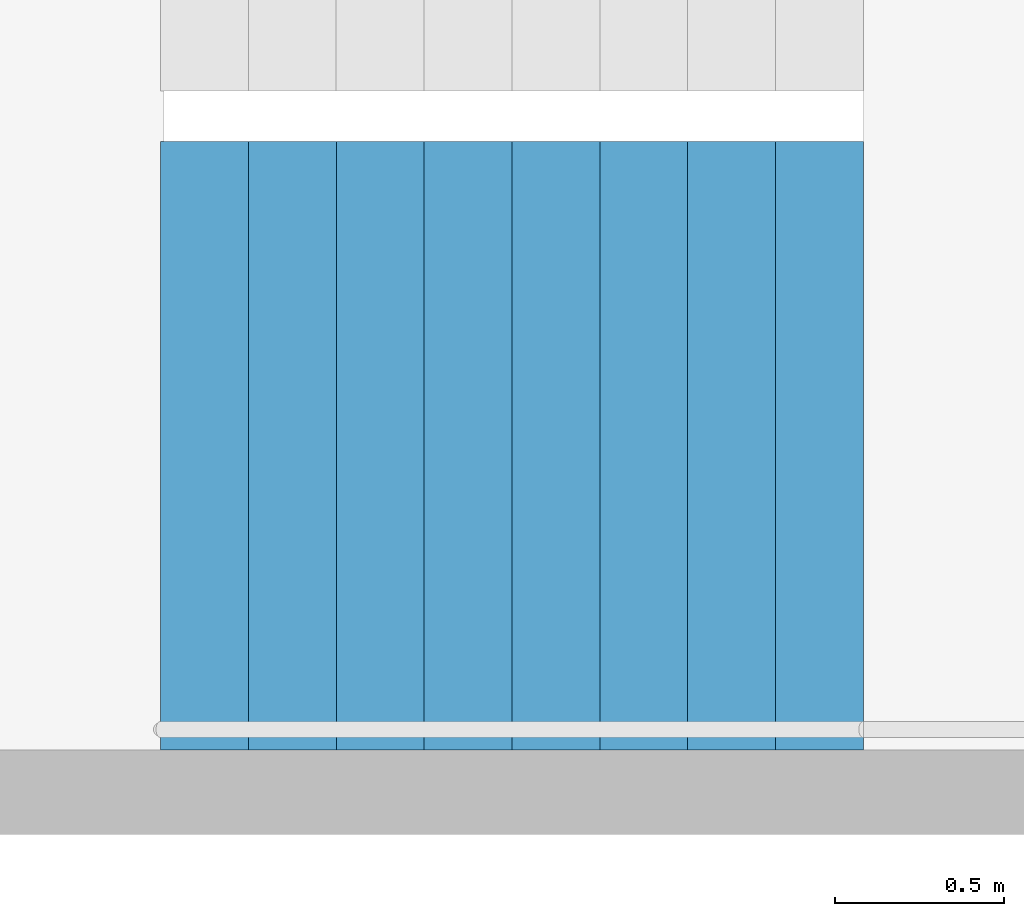
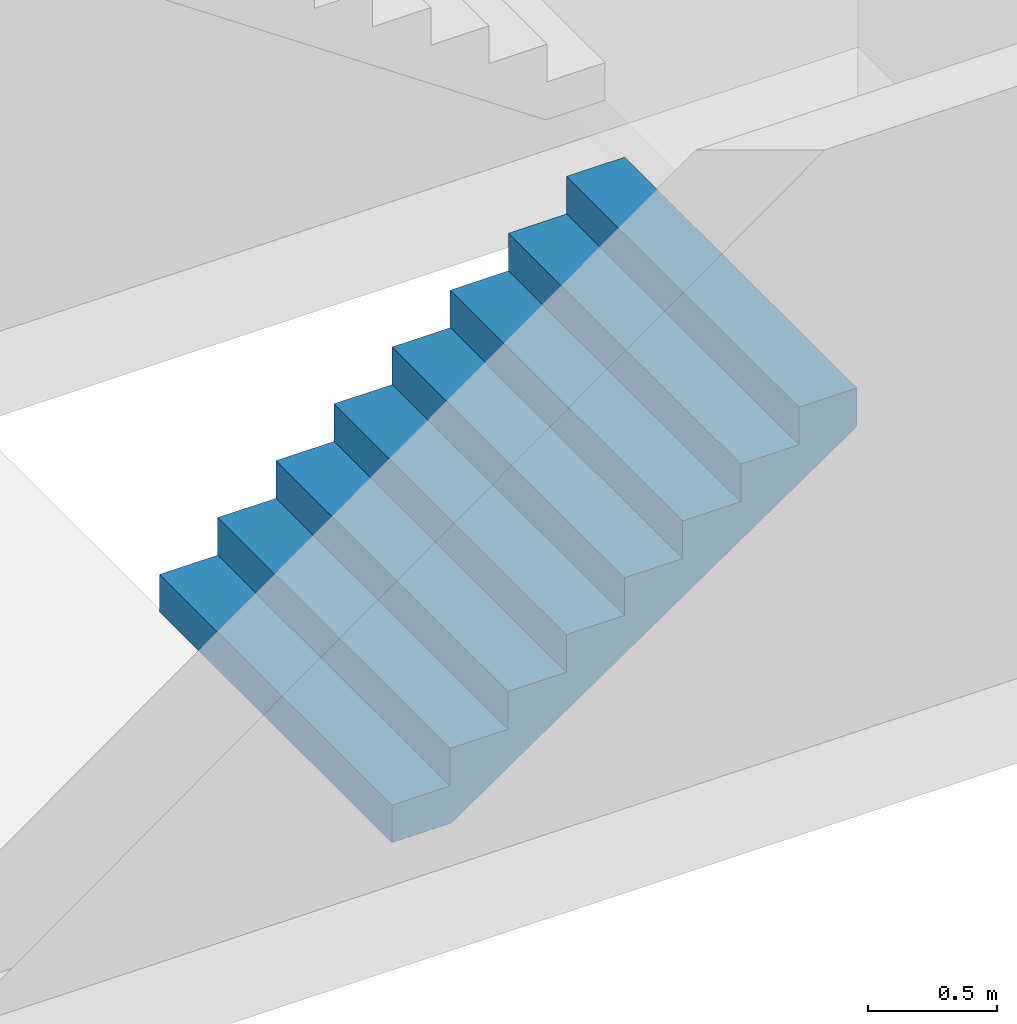
# One storey, part 23 of 29: 1 stair flight, 1 element without a shape of its own.
"""IFC4 building model written with IfcOpenShell, lengths in metres."""

from ifc_helpers import new_model, si_unit, direction, frame, origin, place, context, subcontext, project, spatial, triangles, material, type_object, element, aggregate, save


model = new_model("IFC4")

# Units and contexts
model_context = context("Model", 3, precision=1e-05, world=origin(), true_north=direction((0.0, 1.0)))
body_context = subcontext(model_context, "Body", "Model", "MODEL_VIEW")
ifc_project = project(units=[si_unit("LENGTHUNIT", "METRE"), si_unit("AREAUNIT", "SQUARE_METRE"), si_unit("VOLUMEUNIT", "CUBIC_METRE"), si_unit("PLANEANGLEUNIT", "RADIAN"), si_unit("MASSUNIT", "GRAM", prefix="KILO")], contexts=[model_context])

# Site, building, storey
site_placement = place(None, origin())
site = spatial("IfcSite", under=ifc_project, at=site_placement, CompositionType="ELEMENT")
building_placement = place(site_placement, origin())
building = spatial("IfcBuilding", under=site, at=building_placement, Name="Hakoniwa Tower and Hamabe Station Hall", CompositionType="ELEMENT")
storey_placement = place(building_placement, frame((0.0, 0.0, 101.0)))
storey = spatial("IfcBuildingStorey", under=building, at=storey_placement, Name="L28", CompositionType="ELEMENT", Elevation=101.0)

# Stair, stair flight
ifc_material_1 = material(Name="Concrete C40", Category="concrete")
stair_type = type_object("IfcStairType", Name="ESCAPE STAIR 1800", PredefinedType="HALF_TURN_STAIR", material=ifc_material_1)
stair_placement = place(storey_placement, origin())
stair = element("IfcStair", 1, at=stair_placement, inside=storey, type_object=stair_type, Name="Escape stair ST-1 L28", PredefinedType="HALF_TURN_STAIR")
ifc_material_2 = material(Name="Concrete C40", Category="concrete")
stair_flight_type = type_object("IfcStairFlightType", Name="STAIR FLIGHT 1800", PredefinedType="STRAIGHT", material=ifc_material_2)
stair_flight_placement = place(storey_placement, frame((-24.39990234375, 4.64990234375, 0.0), z_axis=(0.0, 0.0, 1.0), x_axis=(1.0, 0.0, 0.0)))
stair_flight = element("IfcStairFlight", 2, at=stair_flight_placement, type_object=stair_flight_type, Name="ST-1 flight 1", NumberOfRisers=9, NumberOfTreads=8, PredefinedType="STRAIGHT", RiserHeight=0.177777778, TreadLength=0.26, context=body_context, shape_type="Tessellation", body=[
    triangles([(0.0, 0.89990234375, 0.0), (0.260009765625, 0.89990234375, 0.0), (0.265625, 0.89990234375, 0.0), (0.52001953125, 0.89990234375, 0.174072265625), (0.780029296875, 0.89990234375, 0.351806640625), (1.0400390625, 0.89990234375, 0.529541015625), (1.300048828125, 0.89990234375, 0.707275390625), (1.56005859375, 0.89990234375, 0.885009765625), (1.820068359375, 0.89990234375, 1.062744140625), (2.080078125, 0.89990234375, 1.24072265625), (2.080078125, 0.89990234375, 1.422119140625), (1.820068359375, 0.89990234375, 1.422119140625), (1.820068359375, 0.89990234375, 1.244384765625), (1.56005859375, 0.89990234375, 1.244384765625), (1.56005859375, 0.89990234375, 1.066650390625), (1.300048828125, 0.89990234375, 1.066650390625), (1.300048828125, 0.89990234375, 0.888916015625), (1.0400390625, 0.89990234375, 0.888916015625), (1.0400390625, 0.89990234375, 0.711181640625), (0.780029296875, 0.89990234375, 0.711181640625), (0.780029296875, 0.89990234375, 0.533447265625), (0.52001953125, 0.89990234375, 0.533447265625), (0.52001953125, 0.89990234375, 0.35546875), (0.265625, 0.89990234375, 0.35546875), (0.260009765625, 0.89990234375, 0.35546875), (0.260009765625, 0.89990234375, 0.177734375), (0.0, 0.89990234375, 0.177734375), (0.0, 0.06005859375, 0.0), (0.260009765625, 0.06005859375, 0.0), (0.265625, 0.06005859375, 0.0), (0.52001953125, 0.06005859375, 0.174072265625), (0.780029296875, 0.06005859375, 0.351806640625), (1.0400390625, 0.06005859375, 0.529541015625), (1.300048828125, 0.06005859375, 0.707275390625), (1.56005859375, 0.06005859375, 0.885009765625), (1.820068359375, 0.06005859375, 1.062744140625), (2.080078125, 0.06005859375, 1.24072265625), (2.080078125, 0.06005859375, 1.422119140625), (1.820068359375, 0.06005859375, 1.422119140625), (1.820068359375, 0.06005859375, 1.244384765625), (1.56005859375, 0.06005859375, 1.244384765625), (1.56005859375, 0.06005859375, 1.066650390625), (1.300048828125, 0.06005859375, 1.066650390625), (1.300048828125, 0.06005859375, 0.888916015625), (1.0400390625, 0.06005859375, 0.888916015625), (1.0400390625, 0.06005859375, 0.711181640625), (0.780029296875, 0.06005859375, 0.711181640625), (0.780029296875, 0.06005859375, 0.533447265625), (0.52001953125, 0.06005859375, 0.533447265625), (0.52001953125, 0.06005859375, 0.35546875), (0.265625, 0.06005859375, 0.35546875), (0.260009765625, 0.06005859375, 0.35546875), (0.260009765625, 0.06005859375, 0.177734375), (0.0, 0.06005859375, 0.177734375), (0.0, 0.04296875, 0.0), (0.260009765625, 0.04296875, 0.0), (0.265625, 0.04296875, 0.0), (0.52001953125, 0.04296875, 0.174072265625), (0.780029296875, 0.04296875, 0.351806640625), (1.0400390625, 0.04296875, 0.529541015625), (1.300048828125, 0.04296875, 0.707275390625), (1.56005859375, 0.04296875, 0.885009765625), (1.820068359375, 0.04296875, 1.062744140625), (2.080078125, 0.04296875, 1.24072265625), (2.080078125, 0.04296875, 1.422119140625), (1.820068359375, 0.04296875, 1.422119140625), (1.820068359375, 0.04296875, 1.244384765625), (1.56005859375, 0.04296875, 1.244384765625), (1.56005859375, 0.04296875, 1.066650390625), (1.300048828125, 0.04296875, 1.066650390625), (1.300048828125, 0.04296875, 0.888916015625), (1.0400390625, 0.04296875, 0.888916015625), (1.0400390625, 0.04296875, 0.711181640625), (0.780029296875, 0.04296875, 0.711181640625), (0.780029296875, 0.04296875, 0.533447265625), (0.52001953125, 0.04296875, 0.533447265625), (0.52001953125, 0.04296875, 0.35546875), (0.265625, 0.04296875, 0.35546875), (0.260009765625, 0.04296875, 0.35546875), (0.260009765625, 0.04296875, 0.177734375), (0.0, 0.04296875, 0.177734375), (0.0, 0.025634765625, 0.0), (0.260009765625, 0.025634765625, 0.0), (0.265625, 0.025634765625, 0.0), (0.52001953125, 0.025634765625, 0.174072265625), (0.780029296875, 0.025634765625, 0.351806640625), (1.0400390625, 0.025634765625, 0.529541015625), (1.300048828125, 0.025634765625, 0.707275390625), (1.56005859375, 0.025634765625, 0.885009765625), (1.820068359375, 0.025634765625, 1.062744140625), (2.080078125, 0.025634765625, 1.24072265625), (2.080078125, 0.025634765625, 1.422119140625), (1.820068359375, 0.025634765625, 1.422119140625), (1.820068359375, 0.025634765625, 1.244384765625), (1.56005859375, 0.025634765625, 1.244384765625), (1.56005859375, 0.025634765625, 1.066650390625), (1.300048828125, 0.025634765625, 1.066650390625), (1.300048828125, 0.025634765625, 0.888916015625), (1.0400390625, 0.025634765625, 0.888916015625), (1.0400390625, 0.025634765625, 0.711181640625), (0.780029296875, 0.025634765625, 0.711181640625), (0.780029296875, 0.025634765625, 0.533447265625), (0.52001953125, 0.025634765625, 0.533447265625), (0.52001953125, 0.025634765625, 0.35546875), (0.265625, 0.025634765625, 0.35546875), (0.260009765625, 0.025634765625, 0.35546875), (0.260009765625, 0.025634765625, 0.177734375), (0.0, 0.025634765625, 0.177734375), (0.0, 0.008544921875, 0.0), (0.260009765625, 0.008544921875, 0.0), (0.265625, 0.008544921875, 0.0), (0.52001953125, 0.008544921875, 0.174072265625), (0.780029296875, 0.008544921875, 0.351806640625), (1.0400390625, 0.008544921875, 0.529541015625), (1.300048828125, 0.008544921875, 0.707275390625), (1.56005859375, 0.008544921875, 0.885009765625), (1.820068359375, 0.008544921875, 1.062744140625), (2.080078125, 0.008544921875, 1.24072265625), (2.080078125, 0.008544921875, 1.422119140625), (1.820068359375, 0.008544921875, 1.422119140625), (1.820068359375, 0.008544921875, 1.244384765625), (1.56005859375, 0.008544921875, 1.244384765625), (1.56005859375, 0.008544921875, 1.066650390625), (1.300048828125, 0.008544921875, 1.066650390625), (1.300048828125, 0.008544921875, 0.888916015625), (1.0400390625, 0.008544921875, 0.888916015625), (1.0400390625, 0.008544921875, 0.711181640625), (0.780029296875, 0.008544921875, 0.711181640625), (0.780029296875, 0.008544921875, 0.533447265625), (0.52001953125, 0.008544921875, 0.533447265625), (0.52001953125, 0.008544921875, 0.35546875), (0.265625, 0.008544921875, 0.35546875), (0.260009765625, 0.008544921875, 0.35546875), (0.260009765625, 0.008544921875, 0.177734375), (0.0, 0.008544921875, 0.177734375), (0.0, -0.008544921875, 0.0), (0.260009765625, -0.008544921875, 0.0), (0.265625, -0.008544921875, 0.0), (0.52001953125, -0.008544921875, 0.174072265625), (0.780029296875, -0.008544921875, 0.351806640625), (1.0400390625, -0.008544921875, 0.529541015625), (1.300048828125, -0.008544921875, 0.707275390625), (1.56005859375, -0.008544921875, 0.885009765625), (1.820068359375, -0.008544921875, 1.062744140625), (2.080078125, -0.008544921875, 1.24072265625), (2.080078125, -0.008544921875, 1.422119140625), (1.820068359375, -0.008544921875, 1.422119140625), (1.820068359375, -0.008544921875, 1.244384765625), (1.56005859375, -0.008544921875, 1.244384765625), (1.56005859375, -0.008544921875, 1.066650390625), (1.300048828125, -0.008544921875, 1.066650390625), (1.300048828125, -0.008544921875, 0.888916015625), (1.0400390625, -0.008544921875, 0.888916015625), (1.0400390625, -0.008544921875, 0.711181640625), (0.780029296875, -0.008544921875, 0.711181640625), (0.780029296875, -0.008544921875, 0.533447265625), (0.52001953125, -0.008544921875, 0.533447265625), (0.52001953125, -0.008544921875, 0.35546875), (0.265625, -0.008544921875, 0.35546875), (0.260009765625, -0.008544921875, 0.35546875), (0.260009765625, -0.008544921875, 0.177734375), (0.0, -0.008544921875, 0.177734375), (0.0, -0.025634765625, 0.0), (0.260009765625, -0.025634765625, 0.0), (0.265625, -0.025634765625, 0.0), (0.52001953125, -0.025634765625, 0.174072265625), (0.780029296875, -0.025634765625, 0.351806640625), (1.0400390625, -0.025634765625, 0.529541015625), (1.300048828125, -0.025634765625, 0.707275390625), (1.56005859375, -0.025634765625, 0.885009765625), (1.820068359375, -0.025634765625, 1.062744140625), (2.080078125, -0.025634765625, 1.24072265625), (2.080078125, -0.025634765625, 1.422119140625), (1.820068359375, -0.025634765625, 1.422119140625), (1.820068359375, -0.025634765625, 1.244384765625), (1.56005859375, -0.025634765625, 1.244384765625), (1.56005859375, -0.025634765625, 1.066650390625), (1.300048828125, -0.025634765625, 1.066650390625), (1.300048828125, -0.025634765625, 0.888916015625), (1.0400390625, -0.025634765625, 0.888916015625), (1.0400390625, -0.025634765625, 0.711181640625), (0.780029296875, -0.025634765625, 0.711181640625), (0.780029296875, -0.025634765625, 0.533447265625), (0.52001953125, -0.025634765625, 0.533447265625), (0.52001953125, -0.025634765625, 0.35546875), (0.265625, -0.025634765625, 0.35546875), (0.260009765625, -0.025634765625, 0.35546875), (0.260009765625, -0.025634765625, 0.177734375), (0.0, -0.025634765625, 0.177734375), (0.0, -0.04296875, 0.0), (0.260009765625, -0.04296875, 0.0), (0.265625, -0.04296875, 0.0), (0.52001953125, -0.04296875, 0.174072265625), (0.780029296875, -0.04296875, 0.351806640625), (1.0400390625, -0.04296875, 0.529541015625), (1.300048828125, -0.04296875, 0.707275390625), (1.56005859375, -0.04296875, 0.885009765625), (1.820068359375, -0.04296875, 1.062744140625), (2.080078125, -0.04296875, 1.24072265625), (2.080078125, -0.04296875, 1.422119140625), (1.820068359375, -0.04296875, 1.422119140625), (1.820068359375, -0.04296875, 1.244384765625), (1.56005859375, -0.04296875, 1.244384765625), (1.56005859375, -0.04296875, 1.066650390625), (1.300048828125, -0.04296875, 1.066650390625), (1.300048828125, -0.04296875, 0.888916015625), (1.0400390625, -0.04296875, 0.888916015625), (1.0400390625, -0.04296875, 0.711181640625), (0.780029296875, -0.04296875, 0.711181640625), (0.780029296875, -0.04296875, 0.533447265625), (0.52001953125, -0.04296875, 0.533447265625), (0.52001953125, -0.04296875, 0.35546875), (0.265625, -0.04296875, 0.35546875), (0.260009765625, -0.04296875, 0.35546875), (0.260009765625, -0.04296875, 0.177734375), (0.0, -0.04296875, 0.177734375), (0.0, -0.06005859375, 0.0), (0.260009765625, -0.06005859375, 0.0), (0.265625, -0.06005859375, 0.0), (0.52001953125, -0.06005859375, 0.174072265625), (0.780029296875, -0.06005859375, 0.351806640625), (1.0400390625, -0.06005859375, 0.529541015625), (1.300048828125, -0.06005859375, 0.707275390625), (1.56005859375, -0.06005859375, 0.885009765625), (1.820068359375, -0.06005859375, 1.062744140625), (2.080078125, -0.06005859375, 1.24072265625), (2.080078125, -0.06005859375, 1.422119140625), (1.820068359375, -0.06005859375, 1.422119140625), (1.820068359375, -0.06005859375, 1.244384765625), (1.56005859375, -0.06005859375, 1.244384765625), (1.56005859375, -0.06005859375, 1.066650390625), (1.300048828125, -0.06005859375, 1.066650390625), (1.300048828125, -0.06005859375, 0.888916015625), (1.0400390625, -0.06005859375, 0.888916015625), (1.0400390625, -0.06005859375, 0.711181640625), (0.780029296875, -0.06005859375, 0.711181640625), (0.780029296875, -0.06005859375, 0.533447265625), (0.52001953125, -0.06005859375, 0.533447265625), (0.52001953125, -0.06005859375, 0.35546875), (0.265625, -0.06005859375, 0.35546875), (0.260009765625, -0.06005859375, 0.35546875), (0.260009765625, -0.06005859375, 0.177734375), (0.0, -0.06005859375, 0.177734375), (0.0, -0.89990234375, 0.0), (0.260009765625, -0.89990234375, 0.0), (0.265625, -0.89990234375, 0.0), (0.52001953125, -0.89990234375, 0.174072265625), (0.780029296875, -0.89990234375, 0.351806640625), (1.0400390625, -0.89990234375, 0.529541015625), (1.300048828125, -0.89990234375, 0.707275390625), (1.56005859375, -0.89990234375, 0.885009765625), (1.820068359375, -0.89990234375, 1.062744140625), (2.080078125, -0.89990234375, 1.24072265625), (2.080078125, -0.89990234375, 1.422119140625), (1.820068359375, -0.89990234375, 1.422119140625), (1.820068359375, -0.89990234375, 1.244384765625), (1.56005859375, -0.89990234375, 1.244384765625), (1.56005859375, -0.89990234375, 1.066650390625), (1.300048828125, -0.89990234375, 1.066650390625), (1.300048828125, -0.89990234375, 0.888916015625), (1.0400390625, -0.89990234375, 0.888916015625), (1.0400390625, -0.89990234375, 0.711181640625), (0.780029296875, -0.89990234375, 0.711181640625), (0.780029296875, -0.89990234375, 0.533447265625), (0.52001953125, -0.89990234375, 0.533447265625), (0.52001953125, -0.89990234375, 0.35546875), (0.265625, -0.89990234375, 0.35546875), (0.260009765625, -0.89990234375, 0.35546875), (0.260009765625, -0.89990234375, 0.177734375), (0.0, -0.89990234375, 0.177734375)], [[2, 27, 26], [245, 269, 270], [2, 1, 27], [245, 270, 244], [3, 25, 24], [246, 267, 268], [3, 26, 25], [246, 268, 269], [3, 2, 26], [246, 269, 245], [4, 24, 23], [247, 266, 267], [4, 3, 24], [247, 267, 246], [5, 22, 21], [248, 264, 265], [5, 23, 22], [248, 265, 266], [5, 4, 23], [248, 266, 247], [6, 20, 19], [249, 262, 263], [6, 21, 20], [249, 263, 264], [6, 5, 21], [249, 264, 248], [7, 18, 17], [250, 260, 261], [7, 19, 18], [250, 261, 262], [7, 6, 19], [250, 262, 249], [8, 16, 15], [251, 258, 259], [8, 17, 16], [251, 259, 260], [8, 7, 17], [251, 260, 250], [9, 14, 13], [252, 256, 257], [9, 15, 14], [252, 257, 258], [9, 8, 15], [252, 258, 251], [10, 12, 11], [253, 254, 255], [10, 13, 12], [253, 255, 256], [10, 9, 13], [253, 256, 252], [1, 2, 29], [1, 29, 28], [28, 29, 56], [28, 56, 55], [55, 56, 83], [55, 83, 82], [82, 83, 110], [82, 110, 109], [109, 110, 137], [109, 137, 136], [136, 137, 164], [136, 164, 163], [163, 164, 191], [163, 191, 190], [190, 191, 218], [190, 218, 217], [217, 218, 245], [217, 245, 244], [2, 3, 30], [2, 30, 29], [29, 30, 57], [29, 57, 56], [56, 57, 84], [56, 84, 83], [83, 84, 111], [83, 111, 110], [110, 111, 138], [110, 138, 137], [137, 138, 165], [137, 165, 164], [164, 165, 192], [164, 192, 191], [191, 192, 219], [191, 219, 218], [218, 219, 246], [218, 246, 245], [3, 4, 31], [3, 31, 30], [30, 31, 58], [30, 58, 57], [57, 58, 85], [57, 85, 84], [84, 85, 112], [84, 112, 111], [111, 112, 139], [111, 139, 138], [138, 139, 166], [138, 166, 165], [165, 166, 193], [165, 193, 192], [192, 193, 220], [192, 220, 219], [219, 220, 247], [219, 247, 246], [4, 5, 32], [4, 32, 31], [31, 32, 59], [31, 59, 58], [58, 59, 86], [58, 86, 85], [85, 86, 113], [85, 113, 112], [112, 113, 140], [112, 140, 139], [139, 140, 167], [139, 167, 166], [166, 167, 194], [166, 194, 193], [193, 194, 221], [193, 221, 220], [220, 221, 248], [220, 248, 247], [5, 6, 33], [5, 33, 32], [32, 33, 60], [32, 60, 59], [59, 60, 87], [59, 87, 86], [86, 87, 114], [86, 114, 113], [113, 114, 141], [113, 141, 140], [140, 141, 168], [140, 168, 167], [167, 168, 195], [167, 195, 194], [194, 195, 222], [194, 222, 221], [221, 222, 249], [221, 249, 248], [6, 7, 34], [6, 34, 33], [33, 34, 61], [33, 61, 60], [60, 61, 88], [60, 88, 87], [87, 88, 115], [87, 115, 114], [114, 115, 142], [114, 142, 141], [141, 142, 169], [141, 169, 168], [168, 169, 196], [168, 196, 195], [195, 196, 223], [195, 223, 222], [222, 223, 250], [222, 250, 249], [7, 8, 35], [7, 35, 34], [34, 35, 62], [34, 62, 61], [61, 62, 89], [61, 89, 88], [88, 89, 116], [88, 116, 115], [115, 116, 143], [115, 143, 142], [142, 143, 170], [142, 170, 169], [169, 170, 197], [169, 197, 196], [196, 197, 224], [196, 224, 223], [223, 224, 251], [223, 251, 250], [8, 9, 36], [8, 36, 35], [35, 36, 63], [35, 63, 62], [62, 63, 90], [62, 90, 89], [89, 90, 117], [89, 117, 116], [116, 117, 144], [116, 144, 143], [143, 144, 171], [143, 171, 170], [170, 171, 198], [170, 198, 197], [197, 198, 225], [197, 225, 224], [224, 225, 252], [224, 252, 251], [9, 10, 37], [9, 37, 36], [36, 37, 64], [36, 64, 63], [63, 64, 91], [63, 91, 90], [90, 91, 118], [90, 118, 117], [117, 118, 145], [117, 145, 144], [144, 145, 172], [144, 172, 171], [171, 172, 199], [171, 199, 198], [198, 199, 226], [198, 226, 225], [225, 226, 253], [225, 253, 252], [10, 11, 38], [10, 38, 37], [37, 38, 65], [37, 65, 64], [64, 65, 92], [64, 92, 91], [91, 92, 119], [91, 119, 118], [118, 119, 146], [118, 146, 145], [145, 146, 173], [145, 173, 172], [172, 173, 200], [172, 200, 199], [199, 200, 227], [199, 227, 226], [226, 227, 254], [226, 254, 253], [11, 12, 39], [11, 39, 38], [38, 39, 66], [38, 66, 65], [65, 66, 93], [65, 93, 92], [92, 93, 120], [92, 120, 119], [119, 120, 147], [119, 147, 146], [146, 147, 174], [146, 174, 173], [173, 174, 201], [173, 201, 200], [200, 201, 228], [200, 228, 227], [227, 228, 255], [227, 255, 254], [12, 13, 40], [12, 40, 39], [39, 40, 67], [39, 67, 66], [66, 67, 94], [66, 94, 93], [93, 94, 121], [93, 121, 120], [120, 121, 148], [120, 148, 147], [147, 148, 175], [147, 175, 174], [174, 175, 202], [174, 202, 201], [201, 202, 229], [201, 229, 228], [228, 229, 256], [228, 256, 255], [13, 14, 41], [13, 41, 40], [40, 41, 68], [40, 68, 67], [67, 68, 95], [67, 95, 94], [94, 95, 122], [94, 122, 121], [121, 122, 149], [121, 149, 148], [148, 149, 176], [148, 176, 175], [175, 176, 203], [175, 203, 202], [202, 203, 230], [202, 230, 229], [229, 230, 257], [229, 257, 256], [14, 15, 42], [14, 42, 41], [41, 42, 69], [41, 69, 68], [68, 69, 96], [68, 96, 95], [95, 96, 123], [95, 123, 122], [122, 123, 150], [122, 150, 149], [149, 150, 177], [149, 177, 176], [176, 177, 204], [176, 204, 203], [203, 204, 231], [203, 231, 230], [230, 231, 258], [230, 258, 257], [15, 16, 43], [15, 43, 42], [42, 43, 70], [42, 70, 69], [69, 70, 97], [69, 97, 96], [96, 97, 124], [96, 124, 123], [123, 124, 151], [123, 151, 150], [150, 151, 178], [150, 178, 177], [177, 178, 205], [177, 205, 204], [204, 205, 232], [204, 232, 231], [231, 232, 259], [231, 259, 258], [16, 17, 44], [16, 44, 43], [43, 44, 71], [43, 71, 70], [70, 71, 98], [70, 98, 97], [97, 98, 125], [97, 125, 124], [124, 125, 152], [124, 152, 151], [151, 152, 179], [151, 179, 178], [178, 179, 206], [178, 206, 205], [205, 206, 233], [205, 233, 232], [232, 233, 260], [232, 260, 259], [17, 18, 45], [17, 45, 44], [44, 45, 72], [44, 72, 71], [71, 72, 99], [71, 99, 98], [98, 99, 126], [98, 126, 125], [125, 126, 153], [125, 153, 152], [152, 153, 180], [152, 180, 179], [179, 180, 207], [179, 207, 206], [206, 207, 234], [206, 234, 233], [233, 234, 261], [233, 261, 260], [18, 19, 46], [18, 46, 45], [45, 46, 73], [45, 73, 72], [72, 73, 100], [72, 100, 99], [99, 100, 127], [99, 127, 126], [126, 127, 154], [126, 154, 153], [153, 154, 181], [153, 181, 180], [180, 181, 208], [180, 208, 207], [207, 208, 235], [207, 235, 234], [234, 235, 262], [234, 262, 261], [19, 20, 47], [19, 47, 46], [46, 47, 74], [46, 74, 73], [73, 74, 101], [73, 101, 100], [100, 101, 128], [100, 128, 127], [127, 128, 155], [127, 155, 154], [154, 155, 182], [154, 182, 181], [181, 182, 209], [181, 209, 208], [208, 209, 236], [208, 236, 235], [235, 236, 263], [235, 263, 262], [20, 21, 48], [20, 48, 47], [47, 48, 75], [47, 75, 74], [74, 75, 102], [74, 102, 101], [101, 102, 129], [101, 129, 128], [128, 129, 156], [128, 156, 155], [155, 156, 183], [155, 183, 182], [182, 183, 210], [182, 210, 209], [209, 210, 237], [209, 237, 236], [236, 237, 264], [236, 264, 263], [21, 22, 49], [21, 49, 48], [48, 49, 76], [48, 76, 75], [75, 76, 103], [75, 103, 102], [102, 103, 130], [102, 130, 129], [129, 130, 157], [129, 157, 156], [156, 157, 184], [156, 184, 183], [183, 184, 211], [183, 211, 210], [210, 211, 238], [210, 238, 237], [237, 238, 265], [237, 265, 264], [22, 23, 50], [22, 50, 49], [49, 50, 77], [49, 77, 76], [76, 77, 104], [76, 104, 103], [103, 104, 131], [103, 131, 130], [130, 131, 158], [130, 158, 157], [157, 158, 185], [157, 185, 184], [184, 185, 212], [184, 212, 211], [211, 212, 239], [211, 239, 238], [238, 239, 266], [238, 266, 265], [23, 24, 51], [23, 51, 50], [50, 51, 78], [50, 78, 77], [77, 78, 105], [77, 105, 104], [104, 105, 132], [104, 132, 131], [131, 132, 159], [131, 159, 158], [158, 159, 186], [158, 186, 185], [185, 186, 213], [185, 213, 212], [212, 213, 240], [212, 240, 239], [239, 240, 267], [239, 267, 266], [24, 25, 52], [24, 52, 51], [51, 52, 79], [51, 79, 78], [78, 79, 106], [78, 106, 105], [105, 106, 133], [105, 133, 132], [132, 133, 160], [132, 160, 159], [159, 160, 187], [159, 187, 186], [186, 187, 214], [186, 214, 213], [213, 214, 241], [213, 241, 240], [240, 241, 268], [240, 268, 267], [25, 26, 53], [25, 53, 52], [52, 53, 80], [52, 80, 79], [79, 80, 107], [79, 107, 106], [106, 107, 134], [106, 134, 133], [133, 134, 161], [133, 161, 160], [160, 161, 188], [160, 188, 187], [187, 188, 215], [187, 215, 214], [214, 215, 242], [214, 242, 241], [241, 242, 269], [241, 269, 268], [26, 27, 54], [26, 54, 53], [53, 54, 81], [53, 81, 80], [80, 81, 108], [80, 108, 107], [107, 108, 135], [107, 135, 134], [134, 135, 162], [134, 162, 161], [161, 162, 189], [161, 189, 188], [188, 189, 216], [188, 216, 215], [215, 216, 243], [215, 243, 242], [242, 243, 270], [242, 270, 269], [27, 1, 28], [27, 28, 54], [54, 28, 55], [54, 55, 81], [81, 55, 82], [81, 82, 108], [108, 82, 109], [108, 109, 135], [135, 109, 136], [135, 136, 162], [162, 136, 163], [162, 163, 189], [189, 163, 190], [189, 190, 216], [216, 190, 217], [216, 217, 243], [243, 217, 244], [243, 244, 270]], closed=True),
])
aggregate(stair, [stair_flight])

save(model, "model.ifc")
